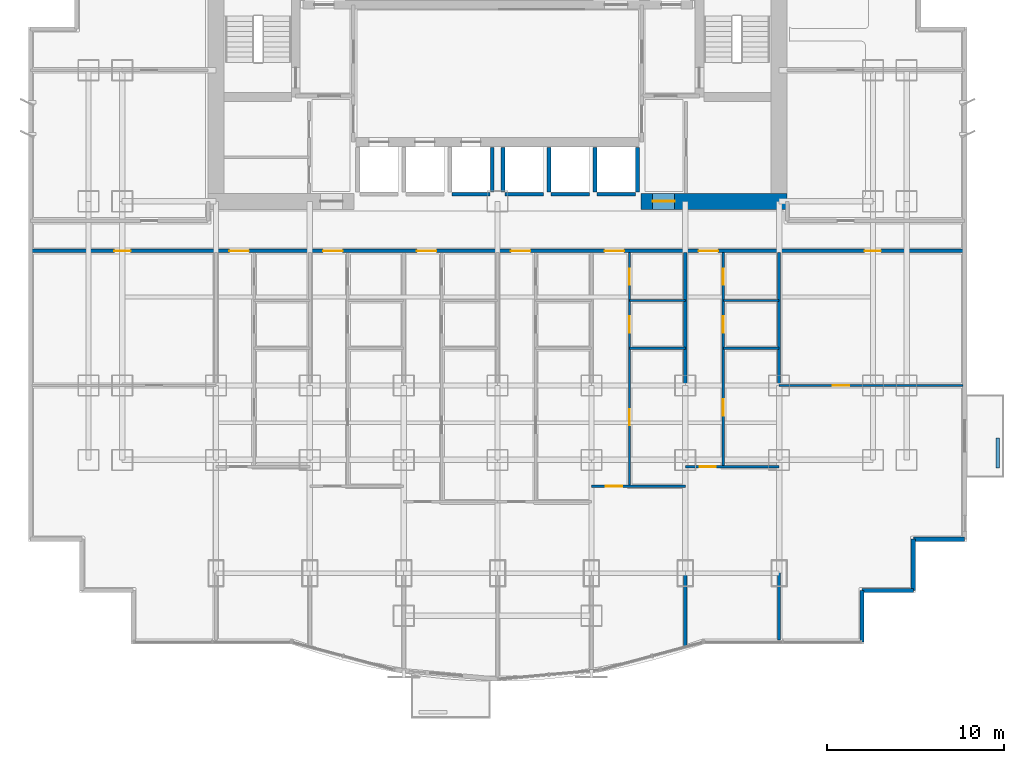
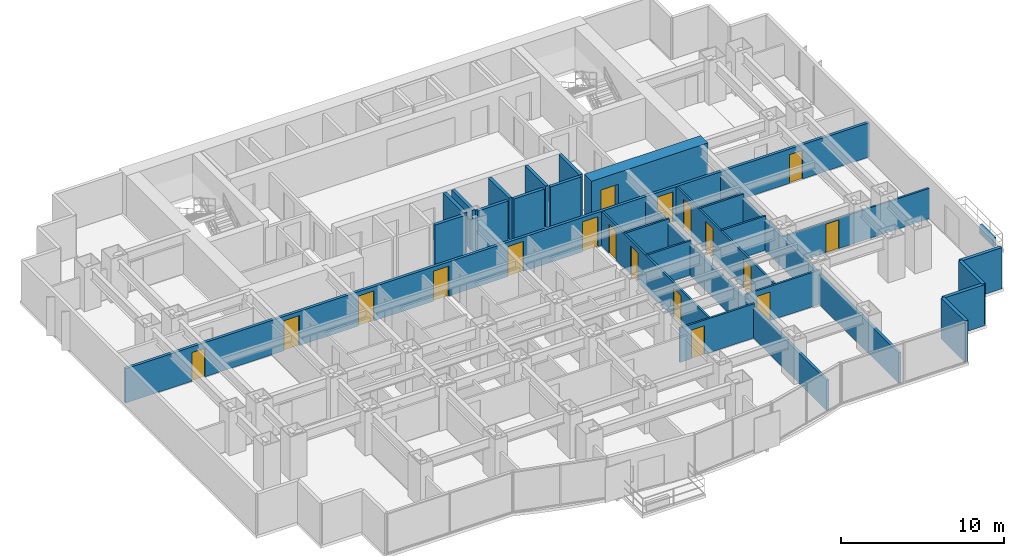
# One storey, part 6 of 10: 27 walls, 18 doors, 18 openings.
"""IFC4 building model written with IfcOpenShell, lengths in metres."""

from ifc_helpers import new_model, si_unit, direction, frame, frame_2d, origin, place, context, subcontext, project, spatial, rectangle, extrude, material, layer, layer_set, type_object, element, fill, save


model = new_model("IFC4")

# Units and contexts
model_context = context("Model", 3, precision=1e-05, world=origin(), true_north=direction((0.0, 1.0)))
body_context = subcontext(model_context, "Body", "Model", "MODEL_VIEW")
ifc_project = project(units=[si_unit("LENGTHUNIT", "METRE"), si_unit("AREAUNIT", "SQUARE_METRE"), si_unit("VOLUMEUNIT", "CUBIC_METRE"), si_unit("PLANEANGLEUNIT", "RADIAN"), si_unit("MASSUNIT", "GRAM", prefix="KILO")], contexts=[model_context])

# Site, building, storey
site_placement = place(None, origin())
site = spatial("IfcSite", under=ifc_project, at=site_placement, CompositionType="ELEMENT")
building_placement = place(site_placement, origin())
building = spatial("IfcBuilding", under=site, at=building_placement, Name="Qianlan Lanfeng Residences", CompositionType="ELEMENT")
storey_placement = place(building_placement, frame((0.0, 0.0, 30.800048828125)))
storey = spatial("IfcBuildingStorey", under=building, at=storey_placement, Name="L07", CompositionType="ELEMENT", Elevation=30.800048828125)

# Wall, opening, door
ifc_material_1 = material(Name="Concrete C70", Category="concrete")
ifc_layer_1 = layer(ifc_material_1, 0.89990234375)
ifc_layer_set_1 = layer_set([ifc_layer_1], Name="Concrete C70")
wall_type_1 = type_object("IfcWallType", Name="CW-RC-900", PredefinedType="SHEAR", material=ifc_layer_set_1)
wall_1_placement = place(storey_placement, frame((34.60009765625, 25.199951171875, 0.0), z_axis=(0.0, 0.0, 1.0), x_axis=(1.0, 0.0, 0.0)))
wall_1 = element("IfcWall", 1, at=wall_1_placement, inside=storey, type_object=wall_type_1, Name="L07 Core Shear Wall SE", PredefinedType="SHEAR", context=body_context, shape_type="SweptSolid", body=[
    extrude(rectangle(XDim=8.25, YDim=0.89990234375, at=frame_2d((4.125, 0.0))), origin(), (0.0, 0.0, 1.0), 3.079833984375),
])
opening_1_placement = place(wall_1_placement, frame((0.64990234375, 0.0, 0.0)))
opening_1 = element("IfcOpeningElement", 2, at=opening_1_placement, cuts=wall_1, Name="Opening L07-D02", PredefinedType="OPENING", context=body_context, shape_type="SweptSolid", body=[
    extrude(rectangle(XDim=1.25, YDim=2.199951171875, at=frame_2d((0.625, 1.10009765625))), frame((0.0, 0.4599609375, 0.0), z_axis=(0.0, -1.0, 0.0), x_axis=(1.0, 0.0, 0.0)), (0.0, 0.0, 1.0), 0.919921875),
])
ifc_material_2 = material(Name="Painted Galvanised Steel Fire Door", Category="steel")
door_type_1 = type_object("IfcDoorType", Name="DT-FFL", OperationType="NOTDEFINED", PredefinedType="DOOR", material=ifc_material_2)
door_1_placement = place(opening_1_placement, frame((1.25, 0.0, 0.0), z_axis=(0.0, 0.0, 1.0), x_axis=(-1.0, 0.0, 0.0)))
door_1 = element("IfcDoor", 3, at=door_1_placement, inside=storey, type_object=door_type_1, Name="L07 East Core Lobby Smoke Door L07-D02 (DT-FFL)", OperationType="SINGLE_SWING_LEFT", OverallHeight=2.199951171875, OverallWidth=1.25, PredefinedType="DOOR", context=body_context, shape_type="SweptSolid", body=[
    extrude(rectangle(XDim=1.25, YDim=2.199951171875, at=frame_2d((0.625, 1.10009765625))), frame((0.0, 0.02490234375, 0.0), z_axis=(0.0, -1.0, 0.0), x_axis=(1.0, 0.0, 0.0)), (0.0, 0.0, 1.0), 0.050048828125),
])
fill(opening_1, door_1)

# Walls
ifc_material_3 = material(Name="Concrete C42", Category="concrete")
ifc_layer_2 = layer(ifc_material_3, 0.239990234375)
ifc_layer_set_2 = layer_set([ifc_layer_2], Name="Concrete C42")
wall_type_2 = type_object("IfcWallType", Name="EW-240", PredefinedType="SOLIDWALL", material=ifc_layer_set_2)
for number, where, z_axis, x_axis, name in (
    (4, (47.080078125, 0.320068359375, 0.0), (0.0, 0.0, 1.0), (0.0, 1.0, 0.0), "L07 Exterior Facade Spandrel Wall 6"),
    (5, (47.080078125, 3.219970703125, 0.0), (0.0, 0.0, 1.0), (1.0, 0.0, 0.0), "L07 Exterior Facade Spandrel Wall 7"),
):
    element("IfcWall", number, at=place(storey_placement, frame(where, z_axis=z_axis, x_axis=x_axis)), inside=storey, type_object=wall_type_2, Name=name, PredefinedType="SOLIDWALL", context=body_context, shape_type="SweptSolid", body=[
        extrude(rectangle(XDim=2.89990234375, YDim=0.239990234375, at=frame_2d((1.449951171875, 0.0))), origin(), (0.0, 0.0, 1.0), 3.079833984375),
    ])
wall_2_placement = place(storey_placement, frame((49.97998046875, 3.219970703125, 0.0), z_axis=(0.0, 0.0, 1.0), x_axis=(0.0, 1.0, 0.0)))
element("IfcWall", 6, at=wall_2_placement, inside=storey, type_object=wall_type_2, Name="L07 Exterior Facade Spandrel Wall 8", PredefinedType="SOLIDWALL", context=body_context, shape_type="SweptSolid", body=[
    extrude(rectangle(XDim=2.900146484375, YDim=0.239990234375, at=frame_2d((1.4501953125, 0.0))), origin(), (0.0, 0.0, 1.0), 3.079833984375),
])
wall_3_placement = place(storey_placement, frame((49.97998046875, 6.1201171875, 0.0), z_axis=(0.0, 0.0, 1.0), x_axis=(1.0, 0.0, 0.0)))
element("IfcWall", 7, at=wall_3_placement, inside=storey, type_object=wall_type_2, Name="L07 Exterior Facade Spandrel Wall 9", PredefinedType="SOLIDWALL", context=body_context, shape_type="SweptSolid", body=[
    extrude(rectangle(XDim=2.89990234375, YDim=0.239990234375, at=frame_2d((1.449951171875, 0.0))), origin(), (0.0, 0.0, 1.0), 3.079833984375),
])
ifc_layer_3 = layer(ifc_material_3, 0.199951171875)
ifc_layer_set_3 = layer_set([ifc_layer_3], Name="Concrete C42")
wall_type_3 = type_object("IfcWallType", Name="PL-TREE-200", PredefinedType="PARAPET", material=ifc_layer_set_3)
wall_4_placement = place(storey_placement, frame((54.75, 10.14990234375, 0.0), z_axis=(0.0, 0.0, 1.0), x_axis=(0.0, 1.0, 0.0)))
element("IfcWall", 8, at=wall_4_placement, inside=storey, type_object=wall_type_3, Name="L07 East Tree Planter Curb EB-S", PredefinedType="PARAPET", context=body_context, shape_type="SweptSolid", body=[
    extrude(rectangle(XDim=1.7001953125, YDim=0.199951171875, at=frame_2d((0.85009765625, 0.0))), origin(), (0.0, 0.0, 1.0), 0.64990234375),
])

# Wall, opening, door
ifc_material_4 = material(Name="Moisture-Resistant Gypsum Partition 135 mm")
ifc_layer_4 = layer(ifc_material_4, 0.135009765625)
ifc_layer_set_4 = layer_set([ifc_layer_4], Name="Moisture-Resistant Gypsum Partition 135 mm")
wall_type_4 = type_object("IfcWallType", Name="PW-135", PredefinedType="PARTITIONING", material=ifc_layer_set_4)
wall_5_placement = place(storey_placement, frame((31.800048828125, 9.113037109375, 0.0), z_axis=(0.0, 0.0, 1.0), x_axis=(1.0, 0.0, 0.0)))
wall_5 = element("IfcWall", 9, at=wall_5_placement, inside=storey, type_object=wall_type_4, Name="L07 U05 Living Divider", PredefinedType="PARTITIONING", context=body_context, shape_type="SweptSolid", body=[
    extrude(rectangle(XDim=5.300048828125, YDim=0.135009765625, at=frame_2d((2.64990234375, 0.0))), origin(), (0.0, 0.0, 1.0), 2.570068359375),
])
opening_2_placement = place(wall_5_placement, frame((0.81494140625, 0.0, 0.0)))
opening_2 = element("IfcOpeningElement", 10, at=opening_2_placement, cuts=wall_5, Name="Opening L07-D35", PredefinedType="OPENING", context=body_context, shape_type="SweptSolid", body=[
    extrude(rectangle(XDim=0.919921875, YDim=2.14990234375, at=frame_2d((0.4599609375, 1.074951171875))), frame((0.0, 0.07763671875, 0.0), z_axis=(0.0, -1.0, 0.0), x_axis=(1.0, 0.0, 0.0)), (0.0, 0.0, 1.0), 0.155029296875),
])
ifc_material_5 = material(Name="Glazed Timber Kitchen/Study Door", Category="wood")
door_type_2 = type_object("IfcDoorType", Name="DT-INT", OperationType="NOTDEFINED", PredefinedType="DOOR", material=ifc_material_5)
door_2_placement = place(opening_2_placement, origin())
door_2 = element("IfcDoor", 11, at=door_2_placement, inside=storey, type_object=door_type_2, Name="L07 U05 Living Passage Door L07-D35 (DT-INT)", OperationType="SINGLE_SWING_LEFT", OverallHeight=2.14990234375, OverallWidth=0.919921875, PredefinedType="DOOR", context=body_context, shape_type="SweptSolid", body=[
    extrude(rectangle(XDim=0.919921875, YDim=2.14990234375, at=frame_2d((0.4599609375, 1.074951171875))), frame((0.0, 0.02490234375, 0.0), z_axis=(0.0, -1.0, 0.0), x_axis=(1.0, 0.0, 0.0)), (0.0, 0.0, 1.0), 0.050048828125),
])
fill(opening_2, door_2)

# Wall, openings, doors
wall_6_placement = place(storey_placement, frame((33.949951171875, 9.113037109375, 0.0), z_axis=(0.0, 0.0, 1.0), x_axis=(0.0, 1.0, 0.0)))
wall_6 = element("IfcWall", 12, at=wall_6_placement, inside=storey, type_object=wall_type_4, Name="L07 U05 Entry Hall Spine", PredefinedType="PARTITIONING", context=body_context, shape_type="SweptSolid", body=[
    extrude(rectangle(XDim=13.18701171875, YDim=0.135009765625, at=frame_2d((6.593505859375, 0.0))), origin(), (0.0, 0.0, 1.0), 2.570068359375),
])
opening_3_placement = place(wall_6_placement, frame((3.43310546875, 0.0, 0.0)))
opening_3 = element("IfcOpeningElement", 13, at=opening_3_placement, cuts=wall_6, Name="Opening L07-D36", PredefinedType="OPENING", context=body_context, shape_type="SweptSolid", body=[
    extrude(rectangle(XDim=0.919921875, YDim=2.14990234375, at=frame_2d((0.4599609375, 1.074951171875))), frame((0.0, 0.07763671875, 0.0), z_axis=(0.0, -1.0, 0.0), x_axis=(1.0, 0.0, 0.0)), (0.0, 0.0, 1.0), 0.155029296875),
])
opening_4_placement = place(wall_6_placement, frame((8.677001953125, 0.0, 0.0)))
opening_4 = element("IfcOpeningElement", 14, at=opening_4_placement, cuts=wall_6, Name="Opening L07-D37", PredefinedType="OPENING", context=body_context, shape_type="SweptSolid", body=[
    extrude(rectangle(XDim=0.919921875, YDim=2.14990234375, at=frame_2d((0.4599609375, 1.074951171875))), frame((0.0, 0.07763671875, 0.0), z_axis=(0.0, -1.0, 0.0), x_axis=(1.0, 0.0, 0.0)), (0.0, 0.0, 1.0), 0.155029296875),
])
opening_5_placement = place(wall_6_placement, frame((11.386962890625, 0.0, 0.0)))
opening_5 = element("IfcOpeningElement", 15, at=opening_5_placement, cuts=wall_6, Name="Opening L07-D38", PredefinedType="OPENING", context=body_context, shape_type="SweptSolid", body=[
    extrude(rectangle(XDim=0.89990234375, YDim=2.14990234375, at=frame_2d((0.449951171875, 1.074951171875))), frame((0.0, 0.07763671875, 0.0), z_axis=(0.0, -1.0, 0.0), x_axis=(1.0, 0.0, 0.0)), (0.0, 0.0, 1.0), 0.155029296875),
])
door_3_placement = place(opening_3_placement, origin())
door_3 = element("IfcDoor", 16, at=door_3_placement, inside=storey, type_object=door_type_2, Name="L07 U05 Study Door L07-D36 (DT-INT)", OperationType="SINGLE_SWING_LEFT", OverallHeight=2.14990234375, OverallWidth=0.919921875, PredefinedType="DOOR", context=body_context, shape_type="SweptSolid", body=[
    extrude(rectangle(XDim=0.919921875, YDim=2.14990234375, at=frame_2d((0.4599609375, 1.074951171875))), frame((0.0, 0.02490234375, 0.0), z_axis=(0.0, -1.0, 0.0), x_axis=(1.0, 0.0, 0.0)), (0.0, 0.0, 1.0), 0.050048828125),
])
fill(opening_3, door_3)
door_4_placement = place(opening_4_placement, origin())
door_4 = element("IfcDoor", 17, at=door_4_placement, inside=storey, type_object=door_type_2, Name="L07 U05 Kitchen Door L07-D37 (DT-INT)", OperationType="SINGLE_SWING_RIGHT", OverallHeight=2.14990234375, OverallWidth=0.919921875, PredefinedType="DOOR", context=body_context, shape_type="SweptSolid", body=[
    extrude(rectangle(XDim=0.919921875, YDim=2.14990234375, at=frame_2d((0.4599609375, 1.074951171875))), frame((0.0, 0.02490234375, 0.0), z_axis=(0.0, -1.0, 0.0), x_axis=(1.0, 0.0, 0.0)), (0.0, 0.0, 1.0), 0.050048828125),
])
fill(opening_4, door_4)
ifc_material_6 = material(Name="Moisture-Resistant Timber Leaf", Category="wood")
door_type_3 = type_object("IfcDoorType", Name="DT-WC", OperationType="NOTDEFINED", PredefinedType="DOOR", material=ifc_material_6)
door_5_placement = place(opening_5_placement, origin())
door_5 = element("IfcDoor", 18, at=door_5_placement, inside=storey, type_object=door_type_3, Name="L07 U05 Bathroom Door L07-D38 (DT-WC)", OperationType="SINGLE_SWING_LEFT", OverallHeight=2.14990234375, OverallWidth=0.89990234375, PredefinedType="DOOR", context=body_context, shape_type="SweptSolid", body=[
    extrude(rectangle(XDim=0.89990234375, YDim=2.14990234375, at=frame_2d((0.449951171875, 1.074951171875))), frame((0.0, 0.02490234375, 0.0), z_axis=(0.0, -1.0, 0.0), x_axis=(1.0, 0.0, 0.0)), (0.0, 0.0, 1.0), 0.050048828125),
])
fill(opening_5, door_5)

# Walls
for number, where, z_axis, x_axis, name in (
    (19, (33.949951171875, 16.89990234375, 0.0), (0.0, 0.0, 1.0), (1.0, 0.0, 0.0), "L07 U05 Kitchen South Wall"),
    (20, (33.949951171875, 19.60009765625, 0.0), (0.0, 0.0, 1.0), (1.0, 0.0, 0.0), "L07 U05 Bathroom South Wall"),
):
    element("IfcWall", number, at=place(storey_placement, frame(where, z_axis=z_axis, x_axis=x_axis)), inside=storey, type_object=wall_type_4, Name=name, PredefinedType="PARTITIONING", context=body_context, shape_type="SweptSolid", body=[
        extrude(rectangle(XDim=3.150146484375, YDim=0.135009765625, at=frame_2d((1.5751953125, 0.0))), origin(), (0.0, 0.0, 1.0), 2.570068359375),
    ])

# Wall, opening, door
wall_7_placement = place(storey_placement, frame((37.10009765625, 10.219970703125, 0.0), z_axis=(0.0, 0.0, 1.0), x_axis=(1.0, 0.0, 0.0)))
wall_7 = element("IfcWall", 21, at=wall_7_placement, inside=storey, type_object=wall_type_4, Name="L07 U06 Living Divider", PredefinedType="PARTITIONING", context=body_context, shape_type="SweptSolid", body=[
    extrude(rectangle(XDim=5.2998046875, YDim=0.135009765625, at=frame_2d((2.64990234375, 0.0))), origin(), (0.0, 0.0, 1.0), 2.570068359375),
])
opening_6_placement = place(wall_7_placement, frame((0.81494140625, 0.0, 0.0)))
opening_6 = element("IfcOpeningElement", 22, at=opening_6_placement, cuts=wall_7, Name="Opening L07-D40", PredefinedType="OPENING", context=body_context, shape_type="SweptSolid", body=[
    extrude(rectangle(XDim=0.919921875, YDim=2.14990234375, at=frame_2d((0.4599609375, 1.074951171875))), frame((0.0, 0.07763671875, 0.0), z_axis=(0.0, -1.0, 0.0), x_axis=(1.0, 0.0, 0.0)), (0.0, 0.0, 1.0), 0.155029296875),
])
door_6_placement = place(opening_6_placement, frame((0.919921875, 0.0, 0.0), z_axis=(0.0, 0.0, 1.0), x_axis=(-1.0, 0.0, 0.0)))
door_6 = element("IfcDoor", 23, at=door_6_placement, inside=storey, type_object=door_type_2, Name="L07 U06 Living Passage Door L07-D40 (DT-INT)", OperationType="SINGLE_SWING_LEFT", OverallHeight=2.14990234375, OverallWidth=0.919921875, PredefinedType="DOOR", context=body_context, shape_type="SweptSolid", body=[
    extrude(rectangle(XDim=0.919921875, YDim=2.14990234375, at=frame_2d((0.4599609375, 1.074951171875))), frame((0.0, 0.02490234375, 0.0), z_axis=(0.0, -1.0, 0.0), x_axis=(1.0, 0.0, 0.0)), (0.0, 0.0, 1.0), 0.050048828125),
])
fill(opening_6, door_6)

# Wall, openings, doors
wall_8_placement = place(storey_placement, frame((39.25, 10.219970703125, 0.0), z_axis=(0.0, 0.0, 1.0), x_axis=(0.0, 1.0, 0.0)))
wall_8 = element("IfcWall", 24, at=wall_8_placement, inside=storey, type_object=wall_type_4, Name="L07 U06 Entry Hall Spine", PredefinedType="PARTITIONING", context=body_context, shape_type="SweptSolid", body=[
    extrude(rectangle(XDim=12.080078125, YDim=0.135009765625, at=frame_2d((6.0400390625, 0.0))), origin(), (0.0, 0.0, 1.0), 2.570068359375),
])
opening_7_placement = place(wall_8_placement, frame((2.8798828125, 0.0, 0.0)))
opening_7 = element("IfcOpeningElement", 25, at=opening_7_placement, cuts=wall_8, Name="Opening L07-D41", PredefinedType="OPENING", context=body_context, shape_type="SweptSolid", body=[
    extrude(rectangle(XDim=0.919921875, YDim=2.14990234375, at=frame_2d((0.4599609375, 1.074951171875))), frame((0.0, 0.07763671875, 0.0), z_axis=(0.0, -1.0, 0.0), x_axis=(1.0, 0.0, 0.0)), (0.0, 0.0, 1.0), 0.155029296875),
])
opening_8_placement = place(wall_8_placement, frame((7.570068359375, 0.0, 0.0)))
opening_8 = element("IfcOpeningElement", 26, at=opening_8_placement, cuts=wall_8, Name="Opening L07-D42", PredefinedType="OPENING", context=body_context, shape_type="SweptSolid", body=[
    extrude(rectangle(XDim=0.919921875, YDim=2.14990234375, at=frame_2d((0.4599609375, 1.074951171875))), frame((0.0, 0.07763671875, 0.0), z_axis=(0.0, -1.0, 0.0), x_axis=(1.0, 0.0, 0.0)), (0.0, 0.0, 1.0), 0.155029296875),
])
opening_9_placement = place(wall_8_placement, frame((10.280029296875, 0.0, 0.0)))
opening_9 = element("IfcOpeningElement", 27, at=opening_9_placement, cuts=wall_8, Name="Opening L07-D43", PredefinedType="OPENING", context=body_context, shape_type="SweptSolid", body=[
    extrude(rectangle(XDim=0.89990234375, YDim=2.14990234375, at=frame_2d((0.449951171875, 1.074951171875))), frame((0.0, 0.07763671875, 0.0), z_axis=(0.0, -1.0, 0.0), x_axis=(1.0, 0.0, 0.0)), (0.0, 0.0, 1.0), 0.155029296875),
])
door_7_placement = place(opening_7_placement, origin())
door_7 = element("IfcDoor", 28, at=door_7_placement, inside=storey, type_object=door_type_2, Name="L07 U06 Study Door L07-D41 (DT-INT)", OperationType="SINGLE_SWING_RIGHT", OverallHeight=2.14990234375, OverallWidth=0.919921875, PredefinedType="DOOR", context=body_context, shape_type="SweptSolid", body=[
    extrude(rectangle(XDim=0.919921875, YDim=2.14990234375, at=frame_2d((0.4599609375, 1.074951171875))), frame((0.0, 0.02490234375, 0.0), z_axis=(0.0, -1.0, 0.0), x_axis=(1.0, 0.0, 0.0)), (0.0, 0.0, 1.0), 0.050048828125),
])
fill(opening_7, door_7)
door_8_placement = place(opening_8_placement, origin())
door_8 = element("IfcDoor", 29, at=door_8_placement, inside=storey, type_object=door_type_2, Name="L07 U06 Kitchen Door L07-D42 (DT-INT)", OperationType="SINGLE_SWING_LEFT", OverallHeight=2.14990234375, OverallWidth=0.919921875, PredefinedType="DOOR", context=body_context, shape_type="SweptSolid", body=[
    extrude(rectangle(XDim=0.919921875, YDim=2.14990234375, at=frame_2d((0.4599609375, 1.074951171875))), frame((0.0, 0.02490234375, 0.0), z_axis=(0.0, -1.0, 0.0), x_axis=(1.0, 0.0, 0.0)), (0.0, 0.0, 1.0), 0.050048828125),
])
fill(opening_8, door_8)
door_9_placement = place(opening_9_placement, origin())
door_9 = element("IfcDoor", 30, at=door_9_placement, inside=storey, type_object=door_type_3, Name="L07 U06 Bathroom Door L07-D43 (DT-WC)", OperationType="SINGLE_SWING_RIGHT", OverallHeight=2.14990234375, OverallWidth=0.89990234375, PredefinedType="DOOR", context=body_context, shape_type="SweptSolid", body=[
    extrude(rectangle(XDim=0.89990234375, YDim=2.14990234375, at=frame_2d((0.449951171875, 1.074951171875))), frame((0.0, 0.02490234375, 0.0), z_axis=(0.0, -1.0, 0.0), x_axis=(1.0, 0.0, 0.0)), (0.0, 0.0, 1.0), 0.050048828125),
])
fill(opening_9, door_9)

# Walls
for number, where, z_axis, x_axis, name in (
    (31, (39.25, 16.89990234375, 0.0), (0.0, 0.0, 1.0), (1.0, 0.0, 0.0), "L07 U06 Kitchen South Wall"),
    (32, (39.25, 19.60009765625, 0.0), (0.0, 0.0, 1.0), (1.0, 0.0, 0.0), "L07 U06 Bathroom South Wall"),
):
    element("IfcWall", number, at=place(storey_placement, frame(where, z_axis=z_axis, x_axis=x_axis)), inside=storey, type_object=wall_type_4, Name=name, PredefinedType="PARTITIONING", context=body_context, shape_type="SweptSolid", body=[
        extrude(rectangle(XDim=3.14990234375, YDim=0.135009765625, at=frame_2d((1.574951171875, 0.0))), origin(), (0.0, 0.0, 1.0), 2.570068359375),
    ])

# Wall, opening, door
wall_9_placement = place(storey_placement, frame((42.39990234375, 14.800048828125, 0.0), z_axis=(0.0, 0.0, 1.0), x_axis=(1.0, 0.0, 0.0)))
wall_9 = element("IfcWall", 33, at=wall_9_placement, inside=storey, type_object=wall_type_4, Name="L07 SEP Mid Partition", PredefinedType="PARTITIONING", context=body_context, shape_type="SweptSolid", body=[
    extrude(rectangle(XDim=10.380126953125, YDim=0.135009765625, at=frame_2d((5.18994140625, 0.0))), origin(), (0.0, 0.0, 1.0), 2.27490234375),
])
opening_10_placement = place(wall_9_placement, frame((3.030029296875, 0.0, 0.0)))
opening_10 = element("IfcOpeningElement", 34, at=opening_10_placement, cuts=wall_9, Name="Opening L07-D46", PredefinedType="OPENING", context=body_context, shape_type="SweptSolid", body=[
    extrude(rectangle(XDim=0.919921875, YDim=2.14990234375, at=frame_2d((0.4599609375, 1.074951171875))), frame((0.0, 0.07763671875, 0.0), z_axis=(0.0, -1.0, 0.0), x_axis=(1.0, 0.0, 0.0)), (0.0, 0.0, 1.0), 0.155029296875),
])
door_10_placement = place(opening_10_placement, origin())
door_10 = element("IfcDoor", 35, at=door_10_placement, inside=storey, type_object=door_type_2, Name="L07 SEP Inner Door L07-D46 (DT-INT)", OperationType="SINGLE_SWING_LEFT", OverallHeight=2.14990234375, OverallWidth=0.919921875, PredefinedType="DOOR", context=body_context, shape_type="SweptSolid", body=[
    extrude(rectangle(XDim=0.919921875, YDim=2.14990234375, at=frame_2d((0.4599609375, 1.074951171875))), frame((0.0, 0.02490234375, 0.0), z_axis=(0.0, -1.0, 0.0), x_axis=(1.0, 0.0, 0.0)), (0.0, 0.0, 1.0), 0.050048828125),
])
fill(opening_10, door_10)

# Walls
ifc_material_7 = material(Name="Double-Layer Acoustic Gypsum Stud Wall 180 mm")
ifc_layer_5 = layer(ifc_material_7, 0.179931640625)
ifc_layer_set_5 = layer_set([ifc_layer_5], Name="Double-Layer Acoustic Gypsum Stud Wall 180 mm")
wall_type_5 = type_object("IfcWallType", Name="PW-180", PredefinedType="PARTITIONING", material=ifc_layer_set_5)
wall_10_placement = place(storey_placement, frame((42.39990234375, 0.419921875, 0.0), z_axis=(0.0, 0.0, 1.0), x_axis=(0.0, 1.0, 0.0)))
element("IfcWall", 36, at=wall_10_placement, inside=storey, type_object=wall_type_5, Name="L07 Wing Boundary Party Wall E0", PredefinedType="PARTITIONING", context=body_context, shape_type="SweptSolid", body=[
    extrude(rectangle(XDim=21.880126953125, YDim=0.179931640625, at=frame_2d((10.93994140625, 0.0))), origin(), (0.0, 0.0, 1.0), 2.27490234375),
])
wall_11_placement = place(storey_placement, frame((37.10009765625, 0.076904296875, 0.0), z_axis=(0.0, 0.0, 1.0), x_axis=(0.0, 1.0, 0.0)))
element("IfcWall", 37, at=wall_11_placement, inside=storey, type_object=wall_type_5, Name="L07 Inter-Tenancy Party Wall 6", PredefinedType="PARTITIONING", context=body_context, shape_type="SweptSolid", body=[
    extrude(rectangle(XDim=22.22314453125, YDim=0.179931640625, at=frame_2d((11.111572265625, 0.0))), origin(), (0.0, 0.0, 1.0), 2.27490234375),
])

# Wall, openings, doors
ifc_material_8 = material(Name="Autoclaved Aerated Concrete Blockwork 200 mm", Category="masonry")
ifc_layer_6 = layer(ifc_material_8, 0.199951171875)
ifc_layer_set_6 = layer_set([ifc_layer_6], Name="Autoclaved Aerated Concrete Blockwork 200 mm")
wall_type_6 = type_object("IfcWallType", Name="PW-200", PredefinedType="PARTITIONING", material=ifc_layer_set_6)
wall_12_placement = place(storey_placement, frame((0.1201171875, 22.39990234375, 0.0), z_axis=(0.0, 0.0, 1.0), x_axis=(1.0, 0.0, 0.0)))
wall_12 = element("IfcWall", 38, at=wall_12_placement, inside=storey, type_object=wall_type_6, Name="L07 Residential Corridor South Fire Wall", PredefinedType="PARTITIONING", context=body_context, shape_type="SweptSolid", body=[
    extrude(rectangle(XDim=52.759765625, YDim=0.199951171875, at=frame_2d((26.3798828125, 0.0))), origin(), (0.0, 0.0, 1.0), 2.570068359375),
])
opening_11_placement = place(wall_12_placement, frame((11.22998046875, 0.0, 0.0)))
opening_11 = element("IfcOpeningElement", 39, at=opening_11_placement, cuts=wall_12, Name="Opening L07-D14", PredefinedType="OPENING", context=body_context, shape_type="SweptSolid", body=[
    extrude(rectangle(XDim=1.10009765625, YDim=2.25, at=frame_2d((0.550048828125, 1.125))), frame((0.0, 0.10986328125, 0.0), z_axis=(0.0, -1.0, 0.0), x_axis=(1.0, 0.0, 0.0)), (0.0, 0.0, 1.0), 0.219970703125),
])
opening_12_placement = place(wall_12_placement, frame((16.530029296875, 0.0, 0.0)))
opening_12 = element("IfcOpeningElement", 40, at=opening_12_placement, cuts=wall_12, Name="Opening L07-D19", PredefinedType="OPENING", context=body_context, shape_type="SweptSolid", body=[
    extrude(rectangle(XDim=1.10009765625, YDim=2.25, at=frame_2d((0.550048828125, 1.125))), frame((0.0, 0.10986328125, 0.0), z_axis=(0.0, -1.0, 0.0), x_axis=(1.0, 0.0, 0.0)), (0.0, 0.0, 1.0), 0.219970703125),
])
opening_13_placement = place(wall_12_placement, frame((21.830078125, 0.0, 0.0)))
opening_13 = element("IfcOpeningElement", 41, at=opening_13_placement, cuts=wall_12, Name="Opening L07-D24", PredefinedType="OPENING", context=body_context, shape_type="SweptSolid", body=[
    extrude(rectangle(XDim=1.10009765625, YDim=2.25, at=frame_2d((0.550048828125, 1.125))), frame((0.0, 0.10986328125, 0.0), z_axis=(0.0, -1.0, 0.0), x_axis=(1.0, 0.0, 0.0)), (0.0, 0.0, 1.0), 0.219970703125),
])
opening_14_placement = place(wall_12_placement, frame((27.1298828125, 0.0, 0.0)))
opening_14 = element("IfcOpeningElement", 42, at=opening_14_placement, cuts=wall_12, Name="Opening L07-D29", PredefinedType="OPENING", context=body_context, shape_type="SweptSolid", body=[
    extrude(rectangle(XDim=1.10009765625, YDim=2.25, at=frame_2d((0.550048828125, 1.125))), frame((0.0, 0.10986328125, 0.0), z_axis=(0.0, -1.0, 0.0), x_axis=(1.0, 0.0, 0.0)), (0.0, 0.0, 1.0), 0.219970703125),
])
opening_15_placement = place(wall_12_placement, frame((32.429931640625, 0.0, 0.0)))
opening_15 = element("IfcOpeningElement", 43, at=opening_15_placement, cuts=wall_12, Name="Opening L07-D34", PredefinedType="OPENING", context=body_context, shape_type="SweptSolid", body=[
    extrude(rectangle(XDim=1.10009765625, YDim=2.25, at=frame_2d((0.550048828125, 1.125))), frame((0.0, 0.10986328125, 0.0), z_axis=(0.0, -1.0, 0.0), x_axis=(1.0, 0.0, 0.0)), (0.0, 0.0, 1.0), 0.219970703125),
])
opening_16_placement = place(wall_12_placement, frame((37.72998046875, 0.0, 0.0)))
opening_16 = element("IfcOpeningElement", 44, at=opening_16_placement, cuts=wall_12, Name="Opening L07-D39", PredefinedType="OPENING", context=body_context, shape_type="SweptSolid", body=[
    extrude(rectangle(XDim=1.10009765625, YDim=2.25, at=frame_2d((0.550048828125, 1.125))), frame((0.0, 0.10986328125, 0.0), z_axis=(0.0, -1.0, 0.0), x_axis=(1.0, 0.0, 0.0)), (0.0, 0.0, 1.0), 0.219970703125),
])
opening_17_placement = place(wall_12_placement, frame((4.735107421875, 0.0, 0.0)))
opening_17 = element("IfcOpeningElement", 45, at=opening_17_placement, cuts=wall_12, Name="Opening L07-D45", PredefinedType="OPENING", context=body_context, shape_type="SweptSolid", body=[
    extrude(rectangle(XDim=0.919921875, YDim=2.14990234375, at=frame_2d((0.4599609375, 1.074951171875))), frame((0.0, 0.10986328125, 0.0), z_axis=(0.0, -1.0, 0.0), x_axis=(1.0, 0.0, 0.0)), (0.0, 0.0, 1.0), 0.219970703125),
])
opening_18_placement = place(wall_12_placement, frame((47.10498046875, 0.0, 0.0)))
opening_18 = element("IfcOpeningElement", 46, at=opening_18_placement, cuts=wall_12, Name="Opening L07-D47", PredefinedType="OPENING", context=body_context, shape_type="SweptSolid", body=[
    extrude(rectangle(XDim=0.919921875, YDim=2.14990234375, at=frame_2d((0.4599609375, 1.074951171875))), frame((0.0, 0.10986328125, 0.0), z_axis=(0.0, -1.0, 0.0), x_axis=(1.0, 0.0, 0.0)), (0.0, 0.0, 1.0), 0.219970703125),
])
door_11_placement = place(opening_17_placement, origin())
door_11 = element("IfcDoor", 47, at=door_11_placement, inside=storey, type_object=door_type_2, Name="L07 SWP Corridor Door L07-D45 (DT-INT)", OperationType="SINGLE_SWING_RIGHT", OverallHeight=2.14990234375, OverallWidth=0.919921875, PredefinedType="DOOR", context=body_context, shape_type="SweptSolid", body=[
    extrude(rectangle(XDim=0.919921875, YDim=2.14990234375, at=frame_2d((0.4599609375, 1.074951171875))), frame((0.0, 0.02490234375, 0.0), z_axis=(0.0, -1.0, 0.0), x_axis=(1.0, 0.0, 0.0)), (0.0, 0.0, 1.0), 0.050048828125),
])
fill(opening_17, door_11)
door_12_placement = place(opening_18_placement, origin())
door_12 = element("IfcDoor", 48, at=door_12_placement, inside=storey, type_object=door_type_2, Name="L07 SEP Corridor Door L07-D47 (DT-INT)", OperationType="SINGLE_SWING_RIGHT", OverallHeight=2.14990234375, OverallWidth=0.919921875, PredefinedType="DOOR", context=body_context, shape_type="SweptSolid", body=[
    extrude(rectangle(XDim=0.919921875, YDim=2.14990234375, at=frame_2d((0.4599609375, 1.074951171875))), frame((0.0, 0.02490234375, 0.0), z_axis=(0.0, -1.0, 0.0), x_axis=(1.0, 0.0, 0.0)), (0.0, 0.0, 1.0), 0.050048828125),
])
fill(opening_18, door_12)
ifc_material_9 = material(Name="Solid-Core Oak Veneer Fire Door")
door_type_4 = type_object("IfcDoorType", Name="DT-UNIT", OperationType="NOTDEFINED", PredefinedType="DOOR", material=ifc_material_9)
door_13_placement = place(opening_11_placement, origin())
door_13 = element("IfcDoor", 49, at=door_13_placement, inside=storey, type_object=door_type_4, Name="L07 Apartment U01 Entrance Door L07-D14 (DT-UNIT)", OperationType="SINGLE_SWING_RIGHT", OverallHeight=2.25, OverallWidth=1.10009765625, PredefinedType="DOOR", context=body_context, shape_type="SweptSolid", body=[
    extrude(rectangle(XDim=1.10009765625, YDim=2.25, at=frame_2d((0.550048828125, 1.125))), frame((0.0, 0.02490234375, 0.0), z_axis=(0.0, -1.0, 0.0), x_axis=(1.0, 0.0, 0.0)), (0.0, 0.0, 1.0), 0.050048828125),
])
fill(opening_11, door_13)
door_14_placement = place(opening_12_placement, origin())
door_14 = element("IfcDoor", 50, at=door_14_placement, inside=storey, type_object=door_type_4, Name="L07 Apartment U02 Entrance Door L07-D19 (DT-UNIT)", OperationType="SINGLE_SWING_RIGHT", OverallHeight=2.25, OverallWidth=1.10009765625, PredefinedType="DOOR", context=body_context, shape_type="SweptSolid", body=[
    extrude(rectangle(XDim=1.10009765625, YDim=2.25, at=frame_2d((0.550048828125, 1.125))), frame((0.0, 0.02490234375, 0.0), z_axis=(0.0, -1.0, 0.0), x_axis=(1.0, 0.0, 0.0)), (0.0, 0.0, 1.0), 0.050048828125),
])
fill(opening_12, door_14)
door_15_placement = place(opening_13_placement, origin())
door_15 = element("IfcDoor", 51, at=door_15_placement, inside=storey, type_object=door_type_4, Name="L07 Apartment U03 Entrance Door L07-D24 (DT-UNIT)", OperationType="SINGLE_SWING_RIGHT", OverallHeight=2.25, OverallWidth=1.10009765625, PredefinedType="DOOR", context=body_context, shape_type="SweptSolid", body=[
    extrude(rectangle(XDim=1.10009765625, YDim=2.25, at=frame_2d((0.550048828125, 1.125))), frame((0.0, 0.02490234375, 0.0), z_axis=(0.0, -1.0, 0.0), x_axis=(1.0, 0.0, 0.0)), (0.0, 0.0, 1.0), 0.050048828125),
])
fill(opening_13, door_15)
door_16_placement = place(opening_14_placement, origin())
door_16 = element("IfcDoor", 52, at=door_16_placement, inside=storey, type_object=door_type_4, Name="L07 Apartment U04 Entrance Door L07-D29 (DT-UNIT)", OperationType="SINGLE_SWING_RIGHT", OverallHeight=2.25, OverallWidth=1.10009765625, PredefinedType="DOOR", context=body_context, shape_type="SweptSolid", body=[
    extrude(rectangle(XDim=1.10009765625, YDim=2.25, at=frame_2d((0.550048828125, 1.125))), frame((0.0, 0.02490234375, 0.0), z_axis=(0.0, -1.0, 0.0), x_axis=(1.0, 0.0, 0.0)), (0.0, 0.0, 1.0), 0.050048828125),
])
fill(opening_14, door_16)
door_17_placement = place(opening_15_placement, origin())
door_17 = element("IfcDoor", 53, at=door_17_placement, inside=storey, type_object=door_type_4, Name="L07 Apartment U05 Entrance Door L07-D34 (DT-UNIT)", OperationType="SINGLE_SWING_RIGHT", OverallHeight=2.25, OverallWidth=1.10009765625, PredefinedType="DOOR", context=body_context, shape_type="SweptSolid", body=[
    extrude(rectangle(XDim=1.10009765625, YDim=2.25, at=frame_2d((0.550048828125, 1.125))), frame((0.0, 0.02490234375, 0.0), z_axis=(0.0, -1.0, 0.0), x_axis=(1.0, 0.0, 0.0)), (0.0, 0.0, 1.0), 0.050048828125),
])
fill(opening_15, door_17)
door_18_placement = place(opening_16_placement, origin())
door_18 = element("IfcDoor", 54, at=door_18_placement, inside=storey, type_object=door_type_4, Name="L07 Apartment U06 Entrance Door L07-D39 (DT-UNIT)", OperationType="SINGLE_SWING_RIGHT", OverallHeight=2.25, OverallWidth=1.10009765625, PredefinedType="DOOR", context=body_context, shape_type="SweptSolid", body=[
    extrude(rectangle(XDim=1.10009765625, YDim=2.25, at=frame_2d((0.550048828125, 1.125))), frame((0.0, 0.02490234375, 0.0), z_axis=(0.0, -1.0, 0.0), x_axis=(1.0, 0.0, 0.0)), (0.0, 0.0, 1.0), 0.050048828125),
])
fill(opening_16, door_18)

# Walls
ifc_material_10 = material(Name="Concrete C49", Category="concrete")
ifc_layer_7 = layer(ifc_material_10, 0.219970703125)
ifc_layer_set_7 = layer_set([ifc_layer_7], Name="Concrete C49")
wall_type_7 = type_object("IfcWallType", Name="SHW-220", PredefinedType="SOLIDWALL", material=ifc_layer_set_7)
wall_13_placement = place(storey_placement, frame((26.199951171875, 25.719970703125, 0.0), z_axis=(0.0, 0.0, 1.0), x_axis=(0.0, 1.0, 0.0)))
element("IfcWall", 55, at=wall_13_placement, inside=storey, type_object=wall_type_7, Name="L07 Lift PL-L3 Shaft Wall E", PredefinedType="SOLIDWALL", context=body_context, shape_type="SweptSolid", body=[
    extrude(rectangle(XDim=2.530029296875, YDim=0.219970703125, at=frame_2d((1.26513671875, 0.0))), origin(), (0.0, 0.0, 1.0), 3.079833984375),
])
wall_14_placement = place(storey_placement, frame((23.919921875, 25.60009765625, 0.0), z_axis=(0.0, 0.0, 1.0), x_axis=(1.0, 0.0, 0.0)))
element("IfcWall", 56, at=wall_14_placement, inside=storey, type_object=wall_type_7, Name="L07 Lift PL-L3 Shaft Back Wall S", PredefinedType="SOLIDWALL", context=body_context, shape_type="SweptSolid", body=[
    extrude(rectangle(XDim=2.16015625, YDim=0.219970703125, at=frame_2d((1.080078125, 0.0))), origin(), (0.0, 0.0, 1.0), 3.079833984375),
])
wall_15_placement = place(storey_placement, frame((26.800048828125, 25.719970703125, 0.0), z_axis=(0.0, 0.0, 1.0), x_axis=(0.0, 1.0, 0.0)))
element("IfcWall", 57, at=wall_15_placement, inside=storey, type_object=wall_type_7, Name="L07 Lift PL-M1 Shaft Wall W", PredefinedType="SOLIDWALL", context=body_context, shape_type="SweptSolid", body=[
    extrude(rectangle(XDim=2.530029296875, YDim=0.219970703125, at=frame_2d((1.26513671875, 0.0))), origin(), (0.0, 0.0, 1.0), 3.079833984375),
])
wall_16_placement = place(storey_placement, frame((26.919921875, 25.60009765625, 0.0), z_axis=(0.0, 0.0, 1.0), x_axis=(1.0, 0.0, 0.0)))
element("IfcWall", 58, at=wall_16_placement, inside=storey, type_object=wall_type_7, Name="L07 Lift PL-M1 Shaft Back Wall S", PredefinedType="SOLIDWALL", context=body_context, shape_type="SweptSolid", body=[
    extrude(rectangle(XDim=2.16015625, YDim=0.219970703125, at=frame_2d((1.080078125, 0.0))), origin(), (0.0, 0.0, 1.0), 3.079833984375),
])
wall_17_placement = place(storey_placement, frame((29.39990234375, 25.719970703125, 0.0), z_axis=(0.0, 0.0, 1.0), x_axis=(0.0, 1.0, 0.0)))
element("IfcWall", 59, at=wall_17_placement, inside=storey, type_object=wall_type_7, Name="L07 Lift PL-M2 Shaft Wall W", PredefinedType="SOLIDWALL", context=body_context, shape_type="SweptSolid", body=[
    extrude(rectangle(XDim=2.530029296875, YDim=0.219970703125, at=frame_2d((1.26513671875, 0.0))), origin(), (0.0, 0.0, 1.0), 3.079833984375),
])
wall_18_placement = place(storey_placement, frame((29.52001953125, 25.60009765625, 0.0), z_axis=(0.0, 0.0, 1.0), x_axis=(1.0, 0.0, 0.0)))
element("IfcWall", 60, at=wall_18_placement, inside=storey, type_object=wall_type_7, Name="L07 Lift PL-M2 Shaft Back Wall S", PredefinedType="SOLIDWALL", context=body_context, shape_type="SweptSolid", body=[
    extrude(rectangle(XDim=2.159912109375, YDim=0.219970703125, at=frame_2d((1.080078125, 0.0))), origin(), (0.0, 0.0, 1.0), 3.079833984375),
])
for number, where, z_axis, x_axis, name in (
    (61, (32.0, 25.719970703125, 0.0), (0.0, 0.0, 1.0), (0.0, 1.0, 0.0), "L07 Lift PL-M3 Shaft Wall W"),
    (62, (34.39990234375, 25.719970703125, 0.0), (0.0, 0.0, 1.0), (0.0, 1.0, 0.0), "L07 Lift PL-M3 Shaft Wall E"),
):
    element("IfcWall", number, at=place(storey_placement, frame(where, z_axis=z_axis, x_axis=x_axis)), inside=storey, type_object=wall_type_7, Name=name, PredefinedType="SOLIDWALL", context=body_context, shape_type="SweptSolid", body=[
        extrude(rectangle(XDim=2.530029296875, YDim=0.219970703125, at=frame_2d((1.26513671875, 0.0))), origin(), (0.0, 0.0, 1.0), 3.079833984375),
    ])
wall_19_placement = place(storey_placement, frame((32.1201171875, 25.60009765625, 0.0), z_axis=(0.0, 0.0, 1.0), x_axis=(1.0, 0.0, 0.0)))
element("IfcWall", 63, at=wall_19_placement, inside=storey, type_object=wall_type_7, Name="L07 Lift PL-M3 Shaft Back Wall S", PredefinedType="SOLIDWALL", context=body_context, shape_type="SweptSolid", body=[
    extrude(rectangle(XDim=2.159912109375, YDim=0.219970703125, at=frame_2d((1.080078125, 0.0))), origin(), (0.0, 0.0, 1.0), 3.079833984375),
])

save(model, "model.ifc")
